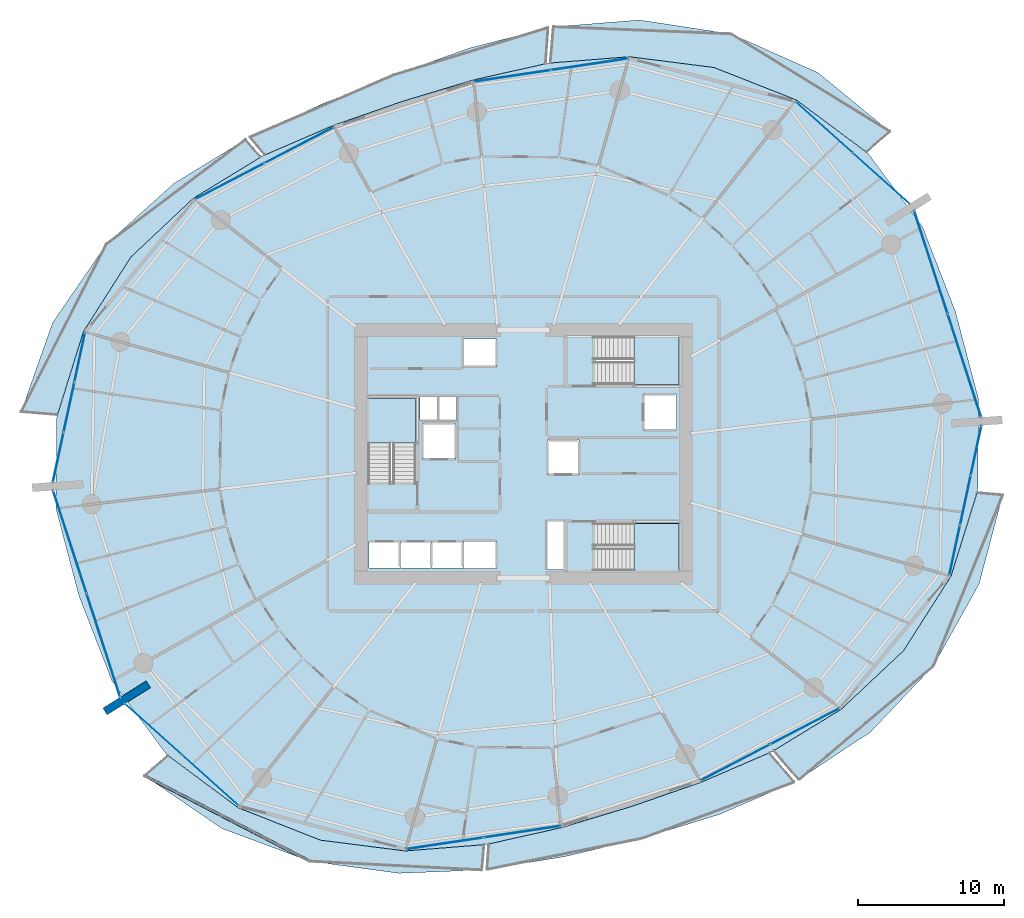
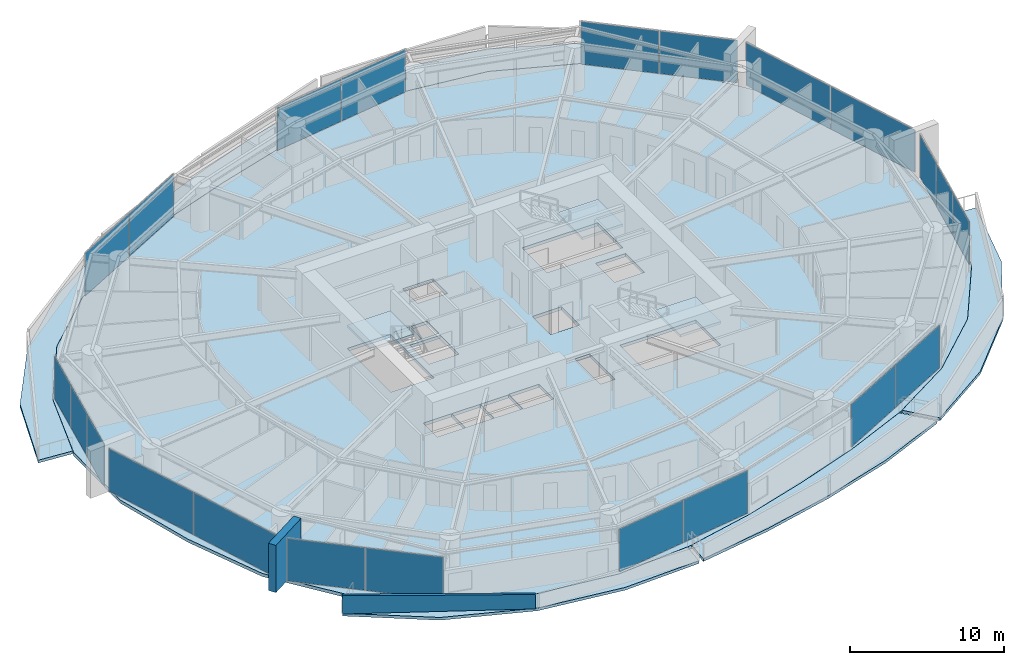
# One storey, part 18 of 31: 22 plates, 10 slabs, 2 walls, 13 elements without a shape of their own.
"""IFC4 building model written with IfcOpenShell, lengths in metres."""

from ifc_helpers import new_model, si_unit, direction, frame, frame_2d, origin, origin_2d, place, context, subcontext, project, spatial, polyline, rectangle, outline, extrude, material, layer, layer_set, type_object, element, aggregate, save


model = new_model("IFC4")

# Units and contexts
model_context = context("Model", 3, precision=1e-05, world=origin(), true_north=direction((0.0, 1.0)))
body_context = subcontext(model_context, "Body", "Model", "MODEL_VIEW")
ifc_project = project(units=[si_unit("LENGTHUNIT", "METRE"), si_unit("AREAUNIT", "SQUARE_METRE"), si_unit("VOLUMEUNIT", "CUBIC_METRE"), si_unit("PLANEANGLEUNIT", "RADIAN"), si_unit("MASSUNIT", "GRAM", prefix="KILO")], contexts=[model_context])

# Site, building, storey
site_placement = place(None, origin())
site = spatial("IfcSite", under=ifc_project, at=site_placement, CompositionType="ELEMENT")
building_placement = place(site_placement, origin())
building = spatial("IfcBuilding", under=site, at=building_placement, Name="Kazma Halo Residences", CompositionType="ELEMENT")
storey_placement = place(building_placement, frame((0.0, 0.0, 37.64990234375)))
storey = spatial("IfcBuildingStorey", under=building, at=storey_placement, Name="L08", CompositionType="ELEMENT", Elevation=37.64990234375)

# Curtain wall, plates
ifc_material_1 = material(Name="Aluminium AW-6063 T6 and Triple-Silver Low-E Glass", Category="aluminium")
ifc_layer_1 = layer(ifc_material_1, 0.159912109375)
ifc_layer_set_1 = layer_set([ifc_layer_1], Name="Aluminium AW-6063 T6 and Triple-Silver Low-E Glass")
curtain_wall_type = type_object("IfcCurtainWallType", Name="CW-SYS-2", PredefinedType="NOTDEFINED", material=ifc_layer_set_1)
curtain_wall_1_placement = place(storey_placement, origin())
curtain_wall_1 = element("IfcCurtainWall", 1, at=curtain_wall_1_placement, inside=storey, type_object=curtain_wall_type, Name="L08 unitised curtain wall B01", PredefinedType="NOTDEFINED")
ifc_material_2 = material(Name="Clear Triple-Silver Low-E Glass IGU", Category="glass")
ifc_layer_2 = layer(ifc_material_2, 0.028076171875)
ifc_layer_set_2 = layer_set([ifc_layer_2], Name="Clear Triple-Silver Low-E Glass IGU")
plate_type = type_object("IfcPlateType", Name="CW-SYS-2-PNL", PredefinedType="CURTAIN_PANEL", material=ifc_layer_set_2)
plate_1_placement = place(storey_placement, frame((72.876953125, 60.841064453125, 0.06005859375), z_axis=(0.0, 0.0, 1.0), x_axis=(-0.744321506993, 0.667821453854, 0.0)))
plate_1 = element("IfcPlate", 2, at=plate_1_placement, type_object=plate_type, Name="CWS-2 panel 1.1", PredefinedType="CURTAIN_PANEL", context=body_context, shape_type="SweptSolid", body=[
    extrude(rectangle(XDim=5.1787109375, YDim=0.028076171875, at=origin_2d()), origin(), (0.0, 0.0, 1.0), 3.3798828125),
])
plate_2_placement = place(storey_placement, frame((68.977783203125, 64.33935546875, 0.06005859375), z_axis=(0.0, 0.0, 1.0), x_axis=(-0.744321506993, 0.667821453854, 0.0)))
plate_2 = element("IfcPlate", 3, at=plate_2_placement, type_object=plate_type, Name="CWS-2 panel 2.1", PredefinedType="CURTAIN_PANEL", context=body_context, shape_type="SweptSolid", body=[
    extrude(rectangle(XDim=5.1787109375, YDim=0.028076171875, at=origin_2d()), origin(), (0.0, 0.0, 1.0), 3.3798828125),
])
aggregate(curtain_wall_1, [plate_1, plate_2])

curtain_wall_2_placement = place(storey_placement, origin())
curtain_wall_2 = element("IfcCurtainWall", 4, at=curtain_wall_2_placement, inside=storey, type_object=curtain_wall_type, Name="L08 unitised curtain wall B03", PredefinedType="NOTDEFINED")
plate_3_placement = place(storey_placement, frame((52.952392578125, 68.64013671875, 0.06005859375), z_axis=(0.0, 0.0, 1.0), x_axis=(-0.988888777994, -0.148657272805, 0.0)))
plate_3 = element("IfcPlate", 5, at=plate_3_placement, type_object=plate_type, Name="CWS-2 panel 1.1", PredefinedType="CURTAIN_PANEL", context=body_context, shape_type="SweptSolid", body=[
    extrude(rectangle(XDim=5.288818359375, YDim=0.028076171875, at=origin_2d()), origin(), (0.0, 0.0, 1.0), 3.3798828125),
])
plate_4_placement = place(storey_placement, frame((47.662841796875, 67.844970703125, 0.06005859375), z_axis=(0.0, 0.0, 1.0), x_axis=(-0.988888777994, -0.148657272805, 0.0)))
plate_4 = element("IfcPlate", 6, at=plate_4_placement, type_object=plate_type, Name="CWS-2 panel 2.1", PredefinedType="CURTAIN_PANEL", context=body_context, shape_type="SweptSolid", body=[
    extrude(rectangle(XDim=5.288818359375, YDim=0.028076171875, at=origin_2d()), origin(), (0.0, 0.0, 1.0), 3.3798828125),
])
aggregate(curtain_wall_2, [plate_3, plate_4])

curtain_wall_3_placement = place(storey_placement, origin())
curtain_wall_3 = element("IfcCurtainWall", 7, at=curtain_wall_3_placement, inside=storey, type_object=curtain_wall_type, Name="L08 unitised curtain wall B05", PredefinedType="NOTDEFINED")
plate_5_placement = place(storey_placement, frame((33.081298828125, 63.107177734375, 0.06005859375), z_axis=(0.0, 0.0, 1.0), x_axis=(-0.887402258584, -0.460995912628, 0.0)))
plate_5 = element("IfcPlate", 8, at=plate_5_placement, type_object=plate_type, Name="CWS-2 panel 1.1", PredefinedType="CURTAIN_PANEL", context=body_context, shape_type="SweptSolid", body=[
    extrude(rectangle(XDim=5.288818359375, YDim=0.028076171875, at=origin_2d()), origin(), (0.0, 0.0, 1.0), 3.3798828125),
])
plate_6_placement = place(storey_placement, frame((28.334716796875, 60.641357421875, 0.06005859375), z_axis=(0.0, 0.0, 1.0), x_axis=(-0.887402258584, -0.460995912628, 0.0)))
plate_6 = element("IfcPlate", 9, at=plate_6_placement, type_object=plate_type, Name="CWS-2 panel 2.1", PredefinedType="CURTAIN_PANEL", context=body_context, shape_type="SweptSolid", body=[
    extrude(rectangle(XDim=5.288818359375, YDim=0.028076171875, at=origin_2d()), origin(), (0.0, 0.0, 1.0), 3.3798828125),
])
aggregate(curtain_wall_3, [plate_5, plate_6])

curtain_wall_4_placement = place(storey_placement, origin())
curtain_wall_4 = element("IfcCurtainWall", 10, at=curtain_wall_4_placement, inside=storey, type_object=curtain_wall_type, Name="L08 unitised curtain wall B07", PredefinedType="NOTDEFINED")
plate_7_placement = place(storey_placement, frame((18.08203125, 48.60107421875, 0.06005859375), z_axis=(0.0, 0.0, 1.0), x_axis=(-0.209637321406, -0.977779215096, 0.0)))
plate_7 = element("IfcPlate", 11, at=plate_7_placement, type_object=plate_type, Name="CWS-2 panel 1.1", PredefinedType="CURTAIN_PANEL", context=body_context, shape_type="SweptSolid", body=[
    extrude(rectangle(XDim=3.42236328125, YDim=0.028076171875, at=origin_2d()), origin(), (0.0, 0.0, 1.0), 3.3798828125),
])
plate_8_placement = place(storey_placement, frame((17.348876953125, 45.181396484375, 0.06005859375), z_axis=(0.0, 0.0, 1.0), x_axis=(-0.209637321406, -0.977779215096, 0.0)))
plate_8 = element("IfcPlate", 12, at=plate_8_placement, type_object=plate_type, Name="CWS-2 panel 2.1", PredefinedType="CURTAIN_PANEL", context=body_context, shape_type="SweptSolid", body=[
    extrude(rectangle(XDim=3.452392578125, YDim=0.028076171875, at=origin_2d()), origin(), (0.0, 0.0, 1.0), 3.3798828125),
])
plate_9_placement = place(storey_placement, frame((16.61572265625, 41.76171875, 0.06005859375), z_axis=(0.0, 0.0, 1.0), x_axis=(-0.209637321406, -0.977779215096, 0.0)))
plate_9 = element("IfcPlate", 13, at=plate_9_placement, type_object=plate_type, Name="CWS-2 panel 3.1", PredefinedType="CURTAIN_PANEL", context=body_context, shape_type="SweptSolid", body=[
    extrude(rectangle(XDim=3.42236328125, YDim=0.028076171875, at=origin_2d()), origin(), (0.0, 0.0, 1.0), 3.3798828125),
])
aggregate(curtain_wall_4, [plate_7, plate_8, plate_9])

curtain_wall_5_placement = place(storey_placement, origin())
curtain_wall_5 = element("IfcCurtainWall", 14, at=curtain_wall_5_placement, inside=storey, type_object=curtain_wall_type, Name="L08 unitised curtain wall B08", PredefinedType="NOTDEFINED")
plate_10_placement = place(storey_placement, frame((17.409912109375, 35.96728515625, 0.06005859375), z_axis=(0.0, 0.0, 1.0), x_axis=(0.309016970539, -0.95105652404, 0.0)))
plate_10 = element("IfcPlate", 15, at=plate_10_placement, type_object=plate_type, Name="CWS-2 panel 1.1", PredefinedType="CURTAIN_PANEL", context=body_context, shape_type="SweptSolid", body=[
    extrude(rectangle(XDim=7.370849609375, YDim=0.028076171875, at=origin_2d()), origin(), (0.0, 0.0, 1.0), 3.3798828125),
])
plate_11_placement = place(storey_placement, frame((19.7060546875, 28.900146484375, 0.06005859375), z_axis=(0.0, 0.0, 1.0), x_axis=(0.309016970539, -0.95105652404, 0.0)))
plate_11 = element("IfcPlate", 16, at=plate_11_placement, type_object=plate_type, Name="CWS-2 panel 2.1", PredefinedType="CURTAIN_PANEL", context=body_context, shape_type="SweptSolid", body=[
    extrude(rectangle(XDim=7.370849609375, YDim=0.028076171875, at=origin_2d()), origin(), (0.0, 0.0, 1.0), 3.3798828125),
])
aggregate(curtain_wall_5, [plate_10, plate_11])

curtain_wall_6_placement = place(storey_placement, origin())
curtain_wall_6 = element("IfcCurtainWall", 17, at=curtain_wall_6_placement, inside=storey, type_object=curtain_wall_type, Name="L08 unitised curtain wall B09", PredefinedType="NOTDEFINED")
plate_12_placement = place(storey_placement, frame((23.123046875, 23.158935546875, 0.06005859375), z_axis=(0.0, 0.0, 1.0), x_axis=(0.744321506993, -0.667821453854, 0.0)))
plate_12 = element("IfcPlate", 18, at=plate_12_placement, type_object=plate_type, Name="CWS-2 panel 1.1", PredefinedType="CURTAIN_PANEL", context=body_context, shape_type="SweptSolid", body=[
    extrude(rectangle(XDim=5.1787109375, YDim=0.028076171875, at=origin_2d()), origin(), (0.0, 0.0, 1.0), 3.3798828125),
])
plate_13_placement = place(storey_placement, frame((27.022216796875, 19.66064453125, 0.06005859375), z_axis=(0.0, 0.0, 1.0), x_axis=(0.744321506993, -0.667821453854, 0.0)))
plate_13 = element("IfcPlate", 19, at=plate_13_placement, type_object=plate_type, Name="CWS-2 panel 2.1", PredefinedType="CURTAIN_PANEL", context=body_context, shape_type="SweptSolid", body=[
    extrude(rectangle(XDim=5.1787109375, YDim=0.028076171875, at=origin_2d()), origin(), (0.0, 0.0, 1.0), 3.3798828125),
])
aggregate(curtain_wall_6, [plate_12, plate_13])

curtain_wall_7_placement = place(storey_placement, origin())
curtain_wall_7 = element("IfcCurtainWall", 20, at=curtain_wall_7_placement, inside=storey, type_object=curtain_wall_type, Name="L08 unitised curtain wall B11", PredefinedType="NOTDEFINED")
plate_14_placement = place(storey_placement, frame((43.047607421875, 15.35986328125, 0.06005859375), z_axis=(0.0, 0.0, 1.0), x_axis=(0.988888777994, 0.148657272805, 0.0)))
plate_14 = element("IfcPlate", 21, at=plate_14_placement, type_object=plate_type, Name="CWS-2 panel 1.1", PredefinedType="CURTAIN_PANEL", context=body_context, shape_type="SweptSolid", body=[
    extrude(rectangle(XDim=5.288818359375, YDim=0.028076171875, at=origin_2d()), origin(), (0.0, 0.0, 1.0), 3.3798828125),
])
plate_15_placement = place(storey_placement, frame((48.337158203125, 16.155029296875, 0.06005859375), z_axis=(0.0, 0.0, 1.0), x_axis=(0.988888777994, 0.148657272805, 0.0)))
plate_15 = element("IfcPlate", 22, at=plate_15_placement, type_object=plate_type, Name="CWS-2 panel 2.1", PredefinedType="CURTAIN_PANEL", context=body_context, shape_type="SweptSolid", body=[
    extrude(rectangle(XDim=5.288818359375, YDim=0.028076171875, at=origin_2d()), origin(), (0.0, 0.0, 1.0), 3.3798828125),
])
aggregate(curtain_wall_7, [plate_14, plate_15])

curtain_wall_8_placement = place(storey_placement, origin())
curtain_wall_8 = element("IfcCurtainWall", 23, at=curtain_wall_8_placement, inside=storey, type_object=curtain_wall_type, Name="L08 unitised curtain wall B13", PredefinedType="NOTDEFINED")
plate_16_placement = place(storey_placement, frame((62.918701171875, 20.892822265625, 0.06005859375), z_axis=(0.0, 0.0, 1.0), x_axis=(0.887402258584, 0.460995912628, 0.0)))
plate_16 = element("IfcPlate", 24, at=plate_16_placement, type_object=plate_type, Name="CWS-2 panel 1.1", PredefinedType="CURTAIN_PANEL", context=body_context, shape_type="SweptSolid", body=[
    extrude(rectangle(XDim=5.288818359375, YDim=0.028076171875, at=origin_2d()), origin(), (0.0, 0.0, 1.0), 3.3798828125),
])
plate_17_placement = place(storey_placement, frame((67.665283203125, 23.358642578125, 0.06005859375), z_axis=(0.0, 0.0, 1.0), x_axis=(0.887402258584, 0.460995912628, 0.0)))
plate_17 = element("IfcPlate", 25, at=plate_17_placement, type_object=plate_type, Name="CWS-2 panel 2.1", PredefinedType="CURTAIN_PANEL", context=body_context, shape_type="SweptSolid", body=[
    extrude(rectangle(XDim=5.288818359375, YDim=0.028076171875, at=origin_2d()), origin(), (0.0, 0.0, 1.0), 3.3798828125),
])
aggregate(curtain_wall_8, [plate_16, plate_17])

curtain_wall_9_placement = place(storey_placement, origin())
curtain_wall_9 = element("IfcCurtainWall", 26, at=curtain_wall_9_placement, inside=storey, type_object=curtain_wall_type, Name="L08 unitised curtain wall B15", PredefinedType="NOTDEFINED")
plate_18_placement = place(storey_placement, frame((77.91796875, 35.39892578125, 0.06005859375), z_axis=(0.0, 0.0, 1.0), x_axis=(0.209637321406, 0.977779215096, 0.0)))
plate_18 = element("IfcPlate", 27, at=plate_18_placement, type_object=plate_type, Name="CWS-2 panel 1.1", PredefinedType="CURTAIN_PANEL", context=body_context, shape_type="SweptSolid", body=[
    extrude(rectangle(XDim=3.42236328125, YDim=0.028076171875, at=origin_2d()), origin(), (0.0, 0.0, 1.0), 3.3798828125),
])
plate_19_placement = place(storey_placement, frame((78.651123046875, 38.818603515625, 0.06005859375), z_axis=(0.0, 0.0, 1.0), x_axis=(0.209637321406, 0.977779215096, 0.0)))
plate_19 = element("IfcPlate", 28, at=plate_19_placement, type_object=plate_type, Name="CWS-2 panel 2.1", PredefinedType="CURTAIN_PANEL", context=body_context, shape_type="SweptSolid", body=[
    extrude(rectangle(XDim=3.452392578125, YDim=0.028076171875, at=origin_2d()), origin(), (0.0, 0.0, 1.0), 3.3798828125),
])
plate_20_placement = place(storey_placement, frame((79.38427734375, 42.23828125, 0.06005859375), z_axis=(0.0, 0.0, 1.0), x_axis=(0.209637321406, 0.977779215096, 0.0)))
plate_20 = element("IfcPlate", 29, at=plate_20_placement, type_object=plate_type, Name="CWS-2 panel 3.1", PredefinedType="CURTAIN_PANEL", context=body_context, shape_type="SweptSolid", body=[
    extrude(rectangle(XDim=3.42236328125, YDim=0.028076171875, at=origin_2d()), origin(), (0.0, 0.0, 1.0), 3.3798828125),
])
aggregate(curtain_wall_9, [plate_18, plate_19, plate_20])

curtain_wall_10_placement = place(storey_placement, origin())
curtain_wall_10 = element("IfcCurtainWall", 30, at=curtain_wall_10_placement, inside=storey, type_object=curtain_wall_type, Name="L08 unitised curtain wall B16", PredefinedType="NOTDEFINED")
plate_21_placement = place(storey_placement, frame((78.590087890625, 48.03271484375, 0.06005859375), z_axis=(0.0, 0.0, 1.0), x_axis=(-0.309016970539, 0.95105652404, 0.0)))
plate_21 = element("IfcPlate", 31, at=plate_21_placement, type_object=plate_type, Name="CWS-2 panel 1.1", PredefinedType="CURTAIN_PANEL", context=body_context, shape_type="SweptSolid", body=[
    extrude(rectangle(XDim=7.370849609375, YDim=0.028076171875, at=origin_2d()), origin(), (0.0, 0.0, 1.0), 3.3798828125),
])
plate_22_placement = place(storey_placement, frame((76.2939453125, 55.099853515625, 0.06005859375), z_axis=(0.0, 0.0, 1.0), x_axis=(-0.309016970539, 0.95105652404, 0.0)))
plate_22 = element("IfcPlate", 32, at=plate_22_placement, type_object=plate_type, Name="CWS-2 panel 2.1", PredefinedType="CURTAIN_PANEL", context=body_context, shape_type="SweptSolid", body=[
    extrude(rectangle(XDim=7.370849609375, YDim=0.028076171875, at=origin_2d()), origin(), (0.0, 0.0, 1.0), 3.3798828125),
])
aggregate(curtain_wall_10, [plate_21, plate_22])

# Slabs
ifc_material_3 = material(Name="White Concrete C50/60", Category="concrete")
ifc_layer_3 = layer(ifc_material_3, 0.219970703125)
ifc_layer_set_3 = layer_set([ifc_layer_3], Name="White Concrete C50/60")
slab_type_1 = type_object("IfcSlabType", Name="SLB-BAL-WAVE-210", PredefinedType="FLOOR", material=ifc_layer_set_3)
slab_1_placement = place(storey_placement, frame((0.0, 0.0, -0.219970703125)))
element("IfcSlab", 33, at=slab_1_placement, inside=storey, type_object=slab_type_1, Name="L08 NE cantilevered wave balcony slab", PredefinedType="FLOOR", context=body_context, shape_type="SweptSolid", body=[
    extrude(outline(polyline([(71.875732421875, 62.645263671875), (67.081298828125, 66.20458984375), (61.461669921875, 68.420166015625), (55.659912109375, 69.15966796875), (50.26806640625, 68.729736328125), (50.47802734375, 71.205810546875), (56.36767578125, 71.669677734375), (62.63232421875, 70.717529296875), (68.55908203125, 68.0791015625), (73.48779296875, 64.039306640625), (71.875732421875, 62.645263671875)])), origin(), (0.0, 0.0, 1.0), 0.219970703125),
])
slab_2_placement = place(storey_placement, frame((0.0, 0.0, -0.219970703125)))
element("IfcSlab", 34, at=slab_2_placement, inside=storey, type_object=slab_type_1, Name="L08 NNW cantilevered wave balcony slab", PredefinedType="FLOOR", context=body_context, shape_type="SweptSolid", body=[
    extrude(outline(polyline([(49.935791015625, 68.679931640625), (44.974365234375, 67.564208984375), (40.165771484375, 66.111083984375), (35.421630859375, 64.460205078125), (30.751708984375, 62.44677734375), (29.7294921875, 63.65869140625), (34.607666015625, 65.91357421875), (39.5791015625, 67.917236328125), (44.7158203125, 69.748291015625), (50.1142578125, 71.139892578125), (49.935791015625, 68.679931640625)])), origin(), (0.0, 0.0, 1.0), 0.219970703125),
])
slab_3_placement = place(storey_placement, frame((0.0, 0.0, -0.219970703125)))
element("IfcSlab", 35, at=slab_3_placement, inside=storey, type_object=slab_type_1, Name="L08 NW cantilevered wave balcony slab", PredefinedType="FLOOR", context=body_context, shape_type="SweptSolid", body=[
    extrude(outline(polyline([(30.453857421875, 62.29150390625), (25.839111328125, 59.47021484375), (21.579833984375, 55.461669921875), (18.3359375, 50.3662109375), (16.54931640625, 44.668701171875), (14.075439453125, 44.87841796875), (16.218994140625, 50.963134765625), (19.8876953125, 56.323974609375), (24.531005859375, 60.50146484375), (29.413330078125, 63.494873046875), (30.453857421875, 62.29150390625)])), origin(), (0.0, 0.0, 1.0), 0.219970703125),
])
slab_4_placement = place(storey_placement, frame((0.0, 0.0, -0.219970703125)))
element("IfcSlab", 36, at=slab_4_placement, inside=storey, type_object=slab_type_1, Name="L08 SW cantilevered wave balcony slab", PredefinedType="FLOOR", context=body_context, shape_type="SweptSolid", body=[
    extrude(outline(polyline([(24.124267578125, 21.354736328125), (28.918701171875, 17.79541015625), (34.538330078125, 15.579833984375), (40.340087890625, 14.84033203125), (45.73193359375, 15.270263671875), (45.585205078125, 13.540283203125), (39.9091796875, 13.31201171875), (33.803955078125, 14.138671875), (27.798583984375, 16.374755859375), (22.526611328125, 19.97314453125), (24.124267578125, 21.354736328125)])), origin(), (0.0, 0.0, 1.0), 0.219970703125),
])
slab_5_placement = place(storey_placement, frame((0.0, 0.0, -0.219970703125)))
element("IfcSlab", 37, at=slab_5_placement, inside=storey, type_object=slab_type_1, Name="L08 SSE cantilevered wave balcony slab", PredefinedType="FLOOR", context=body_context, shape_type="SweptSolid", body=[
    extrude(outline(polyline([(46.064208984375, 15.320068359375), (51.025634765625, 16.435791015625), (55.834228515625, 17.888916015625), (60.578369140625, 19.539794921875), (65.248291015625, 21.55322265625), (66.941162109375, 19.54638671875), (61.814697265625, 17.331787109375), (56.5439453125, 15.7041015625), (51.260498046875, 14.453125), (45.93798828125, 13.580078125), (46.064208984375, 15.320068359375)])), origin(), (0.0, 0.0, 1.0), 0.219970703125),
])
slab_6_placement = place(storey_placement, frame((0.0, 0.0, -0.219970703125)))
element("IfcSlab", 38, at=slab_6_placement, inside=storey, type_object=slab_type_1, Name="L08 SE cantilevered wave balcony slab", PredefinedType="FLOOR", context=body_context, shape_type="SweptSolid", body=[
    extrude(outline(polyline([(65.546142578125, 21.70849609375), (70.160888671875, 24.52978515625), (74.420166015625, 28.538330078125), (77.6640625, 33.6337890625), (79.45068359375, 39.331298828125), (81.205322265625, 39.1826171875), (79.585693359375, 33.091796875), (76.466796875, 27.49560546875), (72.148193359375, 22.963134765625), (67.266845703125, 19.718505859375), (65.546142578125, 21.70849609375)])), origin(), (0.0, 0.0, 1.0), 0.219970703125),
])
ifc_material_4 = material(Name="Concrete C50/60", Category="concrete")
ifc_layer_4 = layer(ifc_material_4, 0.25)
ifc_layer_set_4 = layer_set([ifc_layer_4], Name="Concrete C50/60")
slab_type_2 = type_object("IfcSlabType", Name="SLB-RES-250", PredefinedType="FLOOR", material=ifc_layer_set_4)
slab_7_placement = place(storey_placement, frame((0.0, 0.0, -0.25)))
element("IfcSlab", 39, at=slab_7_placement, inside=storey, type_object=slab_type_2, Name="L08 structural floor slab", PredefinedType="FLOOR", context=body_context, shape_type="SweptSolid", body=[
    extrude(outline(polyline([(77.9677734375, 51.737060546875), (75.719970703125, 57.52392578125), (72.02099609375, 62.51611328125), (67.080078125, 66.202880859375), (61.460693359375, 68.418212890625), (55.6591796875, 69.15771484375), (50.102294921875, 68.713134765625), (44.974609375, 67.562255859375), (40.16650390625, 66.109375), (35.422607421875, 64.45849609375), (30.597412109375, 62.375732421875), (25.8408203125, 59.468994140625), (21.581787109375, 55.460693359375), (18.337890625, 50.365478515625), (16.507568359375, 44.478515625), (16.449462890625, 38.265625), (18.0322265625, 32.262939453125), (20.280029296875, 26.47607421875), (23.97900390625, 21.48388671875), (28.919921875, 17.797119140625), (34.539306640625, 15.581787109375), (40.3408203125, 14.84228515625), (45.897705078125, 15.286865234375), (51.025390625, 16.437744140625), (55.83349609375, 17.890625), (60.577392578125, 19.54150390625), (65.402587890625, 21.624267578125), (70.1591796875, 24.531005859375), (74.418212890625, 28.539306640625), (77.662109375, 33.634521484375), (79.492431640625, 39.521484375), (79.550537109375, 45.734375), (77.9677734375, 51.737060546875)]), holes=[polyline([(37.800048828125, 40.110107421875), (41.050048828125, 40.110107421875), (41.050048828125, 45.800048828125), (37.800048828125, 45.800048828125), (37.800048828125, 40.110107421875)]), polyline([(53.360107421875, 46.75), (59.050048828125, 46.75), (59.050048828125, 50.0), (53.360107421875, 50.0), (53.360107421875, 46.75)]), polyline([(53.360107421875, 34.0), (59.050048828125, 34.0), (59.050048828125, 37.25), (53.360107421875, 37.25), (53.360107421875, 34.0)]), polyline([(41.52001953125, 41.6201171875), (43.780029296875, 41.6201171875), (43.780029296875, 44.080078125), (41.52001953125, 44.080078125), (41.52001953125, 41.6201171875)]), polyline([(56.6201171875, 43.6201171875), (58.8798828125, 43.6201171875), (58.8798828125, 46.080078125), (56.6201171875, 46.080078125), (56.6201171875, 43.6201171875)]), polyline([(37.864990234375, 34.195068359375), (39.97509765625, 34.195068359375), (39.97509765625, 36.0048828125), (37.864990234375, 36.0048828125), (37.864990234375, 34.195068359375)]), polyline([(40.014892578125, 34.195068359375), (42.125, 34.195068359375), (42.125, 36.0048828125), (40.014892578125, 36.0048828125), (40.014892578125, 34.195068359375)]), polyline([(42.1650390625, 34.195068359375), (44.27490234375, 34.195068359375), (44.27490234375, 36.0048828125), (42.1650390625, 36.0048828125), (42.1650390625, 34.195068359375)]), polyline([(44.320068359375, 47.945068359375), (46.580078125, 47.945068359375), (46.580078125, 49.85498046875), (44.320068359375, 49.85498046875), (44.320068359375, 47.945068359375)]), polyline([(44.320068359375, 34.14501953125), (46.580078125, 34.14501953125), (46.580078125, 36.054931640625), (44.320068359375, 36.054931640625), (44.320068359375, 34.14501953125)]), polyline([(50.070068359375, 40.570068359375), (52.22998046875, 40.570068359375), (52.22998046875, 42.929931640625), (50.070068359375, 42.929931640625), (50.070068359375, 40.570068359375)]), polyline([(41.360107421875, 44.340087890625), (42.5400390625, 44.340087890625), (42.5400390625, 45.89990234375), (41.360107421875, 45.89990234375), (41.360107421875, 44.340087890625)]), polyline([(42.659912109375, 44.340087890625), (43.840087890625, 44.340087890625), (43.840087890625, 45.89990234375), (42.659912109375, 45.89990234375), (42.659912109375, 44.340087890625)]), polyline([(50.06005859375, 34.080078125), (51.159912109375, 34.080078125), (51.159912109375, 37.3798828125), (50.06005859375, 37.3798828125), (50.06005859375, 34.080078125)])]), origin(), (0.0, 0.0, 1.0), 0.25),
])

# Stair, slab
stair_type = type_object("IfcStairType", Name="STR-RES1", PredefinedType="HALF_TURN_STAIR", material=ifc_material_4)
stair_1_placement = place(storey_placement, origin())
stair_1 = element("IfcStair", 40, at=stair_1_placement, inside=storey, type_object=stair_type, Name="L08 Core exit stair ST-01", PredefinedType="HALF_TURN_STAIR")
ifc_layer_5 = layer(ifc_material_4, 0.199951171875)
ifc_layer_set_5 = layer_set([ifc_layer_5], Name="Concrete C50/60")
slab_type_3 = type_object("IfcSlabType", Name="SLB-STAIR-LND-200", PredefinedType="LANDING", material=ifc_layer_set_5)
slab_8_placement = place(storey_placement, frame((0.0, 0.0, 1.675048828125)))
slab_8 = element("IfcSlab", 41, at=slab_8_placement, type_object=slab_type_3, Name="ST-01 landing 1", PredefinedType="LANDING", context=body_context, shape_type="SweptSolid", body=[
    extrude(outline(polyline([(41.050048828125, 42.75), (41.050048828125, 45.800048828125), (37.800048828125, 45.800048828125), (37.800048828125, 42.75), (41.050048828125, 42.75)])), origin(), (0.0, 0.0, 1.0), 0.199951171875),
])
aggregate(stair_1, [slab_8])

stair_2_placement = place(storey_placement, origin())
stair_2 = element("IfcStair", 42, at=stair_2_placement, inside=storey, type_object=stair_type, Name="L08 Core exit stair ST-02", PredefinedType="HALF_TURN_STAIR")
slab_9_placement = place(storey_placement, frame((0.0, 0.0, 1.675048828125)))
slab_9 = element("IfcSlab", 43, at=slab_9_placement, type_object=slab_type_3, Name="ST-02 landing 1", PredefinedType="LANDING", context=body_context, shape_type="SweptSolid", body=[
    extrude(outline(polyline([(56.0, 46.75), (59.050048828125, 46.75), (59.050048828125, 50.0), (56.0, 50.0), (56.0, 46.75)])), origin(), (0.0, 0.0, 1.0), 0.199951171875),
])
aggregate(stair_2, [slab_9])

stair_3_placement = place(storey_placement, origin())
stair_3 = element("IfcStair", 44, at=stair_3_placement, inside=storey, type_object=stair_type, Name="L08 Core exit stair ST-03", PredefinedType="HALF_TURN_STAIR")
slab_10_placement = place(storey_placement, frame((0.0, 0.0, 1.675048828125)))
slab_10 = element("IfcSlab", 45, at=slab_10_placement, type_object=slab_type_3, Name="ST-03 landing 1", PredefinedType="LANDING", context=body_context, shape_type="SweptSolid", body=[
    extrude(outline(polyline([(56.0, 34.0), (59.050048828125, 34.0), (59.050048828125, 37.25), (56.0, 37.25), (56.0, 34.0)])), origin(), (0.0, 0.0, 1.0), 0.199951171875),
])
aggregate(stair_3, [slab_10])

# Walls
ifc_material_5 = material(Name="White Concrete C50/60 Balustrade", Category="concrete")
ifc_layer_6 = layer(ifc_material_5, 0.179931640625)
ifc_layer_set_6 = layer_set([ifc_layer_6], Name="White Concrete C50/60 Balustrade")
wall_type_1 = type_object("IfcWallType", Name="WL-BAL-WAVE-180", PredefinedType="PARAPET", material=ifc_layer_set_6)
wall_1_placement = place(storey_placement, frame((22.526611328125, 19.97314453125, 0.0), z_axis=(0.0, 0.0, 1.0), x_axis=(0.888165194013, -0.459524306368, 0.0)))
element("IfcWall", 46, at=wall_1_placement, inside=storey, type_object=wall_type_1, Name="L08 white wave balustrade wall SW.1", PredefinedType="PARAPET", context=body_context, shape_type="SweptSolid", body=[
    extrude(outline(polyline([(0.0, 0.0), (12.5771484375, 0.0), (12.5771484375, 1.148193359375), (6.28857421875, 1.2841796875), (0.0, 1.483154296875), (0.0, 0.0)])), frame((0.0, 0.08984375, 0.0), z_axis=(0.0, -1.0, 0.0), x_axis=(1.0, 0.0, 0.0)), (0.0, 0.0, 1.0), 0.179931640625),
])
ifc_material_6 = material(Name="Pale Concrete C60/75", Category="concrete")
ifc_layer_7 = layer(ifc_material_6, 0.550048828125)
ifc_layer_set_7 = layer_set([ifc_layer_7], Name="Pale Concrete C60/75")
wall_type_2 = type_object("IfcWallType", Name="WL-BLADE-550", PredefinedType="SOLIDWALL", material=ifc_layer_set_7)
wall_2_placement = place(storey_placement, frame((22.770263671875, 26.234619140625, 0.0), z_axis=(0.0, 0.0, 1.0), x_axis=(-0.848053161125, -0.529911158502, 0.0)))
element("IfcWall", 47, at=wall_2_placement, inside=storey, type_object=wall_type_2, Name="L08 pale concrete structural blade fin wall BW-03", PredefinedType="SOLIDWALL", context=body_context, shape_type="SweptSolid", body=[
    extrude(rectangle(XDim=3.5, YDim=0.550048828125, at=frame_2d((1.75, 0.0))), origin(), (0.0, 0.0, 1.0), 3.75),
])

save(model, "model.ifc")
